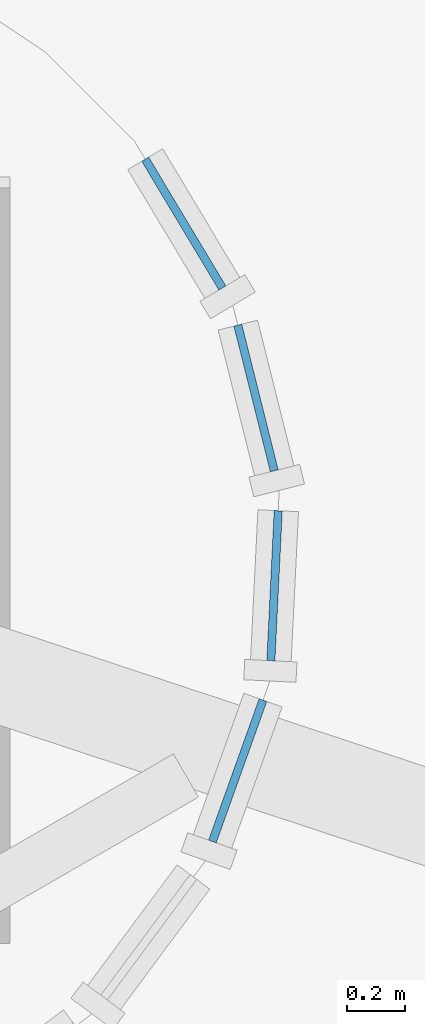
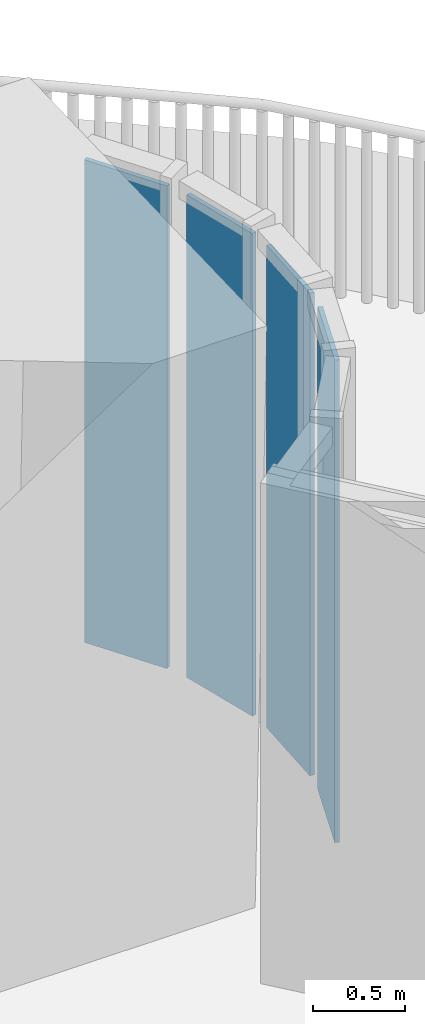
# One storey, part 12 of 21: 4 plates, 4 elements without a shape of their own.
"""IFC4 building model written with IfcOpenShell, lengths in metres."""

from ifc_helpers import new_model, si_unit, direction, frame, origin, origin_2d, place, context, subcontext, project, spatial, rectangle, extrude, material, layer, layer_set, type_object, element, aggregate, save


model = new_model("IFC4")

# Units and contexts
model_context = context("Model", 3, precision=1e-05, world=origin(), true_north=direction((0.0, 1.0)))
body_context = subcontext(model_context, "Body", "Model", "MODEL_VIEW")
ifc_project = project(units=[si_unit("LENGTHUNIT", "METRE"), si_unit("AREAUNIT", "SQUARE_METRE"), si_unit("VOLUMEUNIT", "CUBIC_METRE"), si_unit("PLANEANGLEUNIT", "RADIAN"), si_unit("MASSUNIT", "GRAM", prefix="KILO")], contexts=[model_context])

# Site, building, storey
site_placement = place(None, origin())
site = spatial("IfcSite", under=ifc_project, at=site_placement, CompositionType="ELEMENT")
building_placement = place(site_placement, origin())
building = spatial("IfcBuilding", under=site, at=building_placement, Name="Sierra Prisma Convention Tower", CompositionType="ELEMENT")
storey_placement = place(building_placement, frame((0.0, 0.0, 157.800048828125)))
storey = spatial("IfcBuildingStorey", under=building, at=storey_placement, Name="L34", CompositionType="ELEMENT", Elevation=157.800048828125)

# Curtain wall, plate
ifc_material_1 = material(Name="Aluminium and glass curtain wall", Category="aluminium")
ifc_layer_1 = layer(ifc_material_1, 0.179931640625)
ifc_layer_set_1 = layer_set([ifc_layer_1], Name="CW-6 Terrace recess curtain wall")
curtain_wall_type = type_object("IfcCurtainWallType", Name="CW-6 Terrace recess curtain wall", PredefinedType="NOTDEFINED", material=ifc_layer_set_1)
curtain_wall_1_placement = place(storey_placement, origin())
curtain_wall_1 = element("IfcCurtainWall", 1, at=curtain_wall_1_placement, inside=storey, type_object=curtain_wall_type, Name="CW-6 R9 L34", PredefinedType="NOTDEFINED")
ifc_material_2 = material(Name="Tinted glass bronze-grey IGU", Category="glass")
ifc_layer_2 = layer(ifc_material_2, 0.028076171875)
ifc_layer_set_2 = layer_set([ifc_layer_2], Name="CW-6 glass panel")
plate_type = type_object("IfcPlateType", Name="CW-6 glass panel", PredefinedType="CURTAIN_PANEL", material=ifc_layer_set_2)
plate_1_placement = place(storey_placement, frame((2.084716796875, 27.193359375, 0.0), z_axis=(0.0, 0.0, 1.0), x_axis=(0.336889853392, 0.941544065183, 0.0)))
plate_1 = element("IfcPlate", 2, at=plate_1_placement, type_object=plate_type, Name="CW-6 panel R9.1", PredefinedType="CURTAIN_PANEL", context=body_context, shape_type="SweptSolid", body=[
    extrude(rectangle(XDim=0.516845703125, YDim=0.028076171875, at=origin_2d()), origin(), (0.0, 0.0, 1.0), 3.219970703125),
])
aggregate(curtain_wall_1, [plate_1])

curtain_wall_2_placement = place(storey_placement, origin())
curtain_wall_2 = element("IfcCurtainWall", 3, at=curtain_wall_2_placement, inside=storey, type_object=curtain_wall_type, Name="CW-6 R10 L34", PredefinedType="NOTDEFINED")
plate_2_placement = place(storey_placement, frame((2.211669921875, 27.83056640625, 0.0), z_axis=(0.0, 0.0, 1.0), x_axis=(0.049067674327, 0.998795456205, 0.0)))
plate_2 = element("IfcPlate", 4, at=plate_2_placement, type_object=plate_type, Name="CW-6 panel R10.1", PredefinedType="CURTAIN_PANEL", context=body_context, shape_type="SweptSolid", body=[
    extrude(rectangle(XDim=0.516845703125, YDim=0.028076171875, at=origin_2d()), origin(), (0.0, 0.0, 1.0), 3.219970703125),
])
aggregate(curtain_wall_2, [plate_2])

curtain_wall_3_placement = place(storey_placement, origin())
curtain_wall_3 = element("IfcCurtainWall", 5, at=curtain_wall_3_placement, inside=storey, type_object=curtain_wall_type, Name="CW-6 R11 L34", PredefinedType="NOTDEFINED")
plate_3_placement = place(storey_placement, frame((2.14794921875, 28.477294921875, 0.0), z_axis=(0.0, 0.0, 1.0), x_axis=(-0.242980179903, 0.970031253195, 0.0)))
plate_3 = element("IfcPlate", 6, at=plate_3_placement, type_object=plate_type, Name="CW-6 panel R11.1", PredefinedType="CURTAIN_PANEL", context=body_context, shape_type="SweptSolid", body=[
    extrude(rectangle(XDim=0.516845703125, YDim=0.028076171875, at=origin_2d()), origin(), (0.0, 0.0, 1.0), 3.219970703125),
])
aggregate(curtain_wall_3, [plate_3])

curtain_wall_4_placement = place(storey_placement, origin())
curtain_wall_4 = element("IfcCurtainWall", 7, at=curtain_wall_4_placement, inside=storey, type_object=curtain_wall_type, Name="CW-6 R12 L34", PredefinedType="NOTDEFINED")
plate_4_placement = place(storey_placement, frame((1.899169921875, 29.07763671875, 0.0), z_axis=(0.0, 0.0, 1.0), x_axis=(-0.514102744193, 0.85772861, 0.0)))
plate_4 = element("IfcPlate", 8, at=plate_4_placement, type_object=plate_type, Name="CW-6 panel R12.1", PredefinedType="CURTAIN_PANEL", context=body_context, shape_type="SweptSolid", body=[
    extrude(rectangle(XDim=0.516845703125, YDim=0.028076171875, at=origin_2d()), origin(), (0.0, 0.0, 1.0), 3.219970703125),
])
aggregate(curtain_wall_4, [plate_4])

save(model, "model.ifc")
